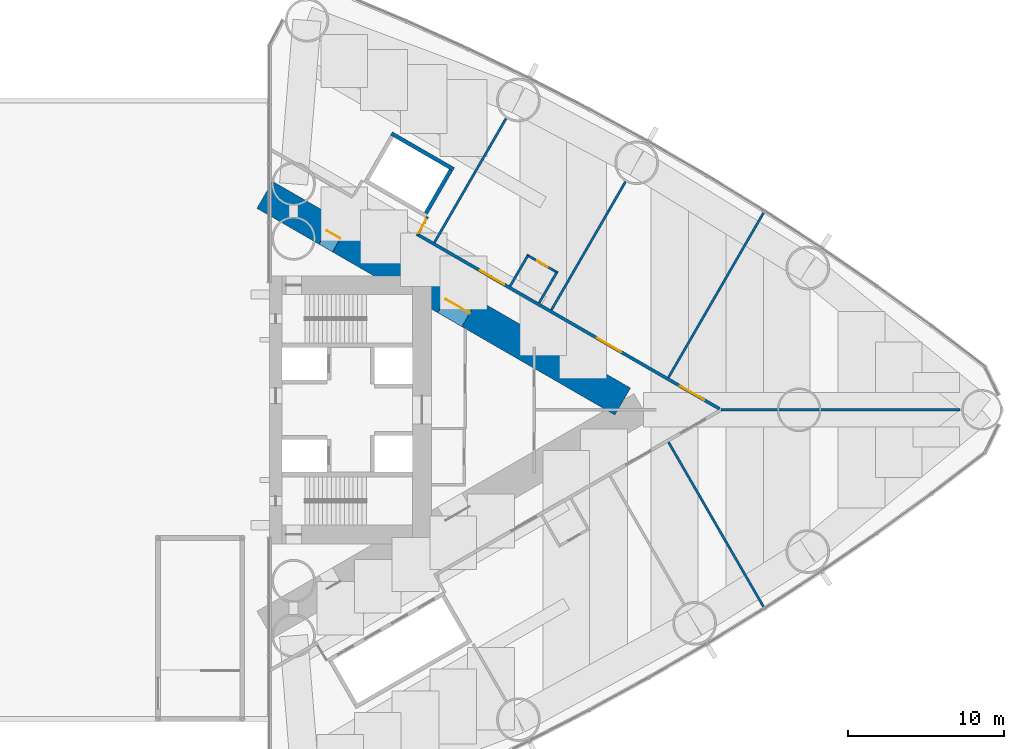
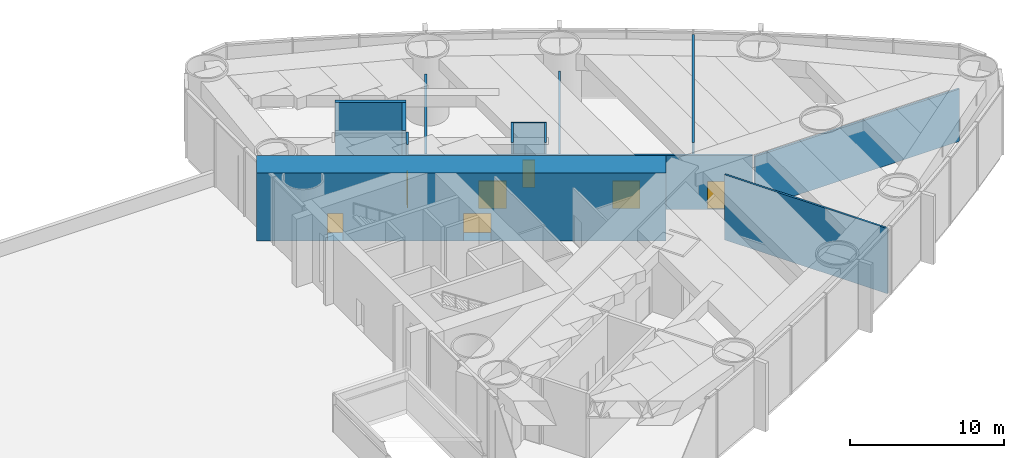
# One storey, part 21 of 23: 13 walls, 7 doors, 7 openings.
"""IFC4 building model written with IfcOpenShell, lengths in metres."""

from ifc_helpers import new_model, si_unit, direction, frame, frame_2d, origin, place, context, subcontext, project, spatial, rectangle, extrude, material, layer, layer_set, type_object, element, fill, save


model = new_model("IFC4")

# Units and contexts
model_context = context("Model", 3, precision=1e-05, world=origin(), true_north=direction((0.0, 1.0)))
body_context = subcontext(model_context, "Body", "Model", "MODEL_VIEW")
ifc_project = project(units=[si_unit("LENGTHUNIT", "METRE"), si_unit("AREAUNIT", "SQUARE_METRE"), si_unit("VOLUMEUNIT", "CUBIC_METRE"), si_unit("PLANEANGLEUNIT", "RADIAN"), si_unit("MASSUNIT", "GRAM", prefix="KILO")], contexts=[model_context])

# Site, building, storey
site_placement = place(None, origin())
site = spatial("IfcSite", under=ifc_project, at=site_placement, CompositionType="ELEMENT")
building_placement = place(site_placement, origin())
building = spatial("IfcBuilding", under=site, at=building_placement, Name="Lancet Gate Hotel", CompositionType="ELEMENT")
storey_placement = place(building_placement, frame((0.0, 0.0, 12.60009765625)))
storey = spatial("IfcBuildingStorey", under=building, at=storey_placement, Name="L02", CompositionType="ELEMENT", Elevation=12.60009765625)

# Walls
ifc_material_1 = material(Name="Moisture resistant board partition")
ifc_layer_1 = layer(ifc_material_1, 0.14990234375)
ifc_layer_set_1 = layer_set([ifc_layer_1], Name="Bathroom wall 150")
wall_type_1 = type_object("IfcWallType", Name="Bathroom wall 150", PredefinedType="PARTITIONING", material=ifc_layer_set_1)
for number, where, z_axis, x_axis, name in (
    (1, (42.953369140625, 7.93798828125, 0.0), (0.0, 0.0, 1.0), (0.499982560684, 0.866035472144, 0.0), "T2 bathroom wall 150 L02"),
    (2, (44.815185546875, 6.863037109375, 0.0), (0.0, 0.0, 1.0), (0.499982560684, 0.866035472144, 0.0), "T2 bathroom wall 150 L02"),
):
    element("IfcWall", number, at=place(storey_placement, frame(where, z_axis=z_axis, x_axis=x_axis)), inside=storey, type_object=wall_type_1, Name=name, PredefinedType="PARTITIONING", context=body_context, shape_type="SweptSolid", body=[
        extrude(rectangle(XDim=2.27490234375, YDim=0.14990234375, at=frame_2d((1.137451171875, 0.0))), origin(), (0.0, 0.0, 1.0), 5.14990234375),
    ])

# Wall, opening, door
wall_1_placement = place(storey_placement, frame((44.02587890625, 9.94580078125, 0.0), z_axis=(0.0, 0.0, 1.0), x_axis=(0.865980515519, -0.500077740698, 0.0)))
wall_1 = element("IfcWall", 3, at=wall_1_placement, inside=storey, type_object=wall_type_1, Name="T2 bathroom wall 150 L02", PredefinedType="PARTITIONING", context=body_context, shape_type="SweptSolid", body=[
    extrude(rectangle(XDim=2.300048828125, YDim=0.14990234375, at=frame_2d((1.14990234375, 0.0))), origin(), (0.0, 0.0, 1.0), 5.14990234375),
])
opening_1_placement = place(wall_1_placement, frame((0.75, 0.0, 0.0)))
opening_1 = element("IfcOpeningElement", 4, at=opening_1_placement, cuts=wall_1, Name="Opening T2-L02-P207W", PredefinedType="OPENING", context=body_context, shape_type="SweptSolid", body=[
    extrude(rectangle(XDim=0.800048828125, YDim=2.199951171875, at=frame_2d((0.39990234375, 1.10009765625))), frame((0.0, 0.0849609375, 0.0), z_axis=(0.0, -1.0, 0.0), x_axis=(1.0, 0.0, 0.0)), (0.0, 0.0, 1.0), 0.169921875),
])
ifc_material_2 = material(Name="Timber door set", Category="wood")
door_type_1 = type_object("IfcDoorType", Name="Bathroom door 800", OperationType="SINGLE_SWING_RIGHT", PredefinedType="DOOR", material=ifc_material_2)
door_1_placement = place(opening_1_placement, origin())
door_1 = element("IfcDoor", 5, at=door_1_placement, inside=storey, type_object=door_type_1, Name="T2-L02-P207W", OperationType="SINGLE_SWING_RIGHT", OverallHeight=2.199951171875, OverallWidth=0.800048828125, PredefinedType="DOOR", context=body_context, shape_type="SweptSolid", body=[
    extrude(rectangle(XDim=0.800048828125, YDim=2.199951171875, at=frame_2d((0.39990234375, 1.10009765625))), frame((0.0, 0.02490234375, 0.0), z_axis=(0.0, -1.0, 0.0), x_axis=(1.0, 0.0, 0.0)), (0.0, 0.0, 1.0), 0.050048828125),
])
fill(opening_1, door_1)

# Wall, openings, doors
ifc_material_3 = material(Name="Concrete C70/85", Category="concrete")
ifc_layer_2 = layer(ifc_material_3, 2.0)
ifc_layer_set_2 = layer_set([ifc_layer_2], Name="Buttress wall 2000")
wall_type_2 = type_object("IfcWallType", Name="Buttress wall 2000", PredefinedType="SHEAR", material=ifc_layer_set_2)
wall_2_placement = place(storey_placement, frame((27.199951171875, 13.800048828125, 0.0), z_axis=(0.0, 0.0, 1.0), x_axis=(0.866024545924, -0.500001485854, 0.0)))
wall_2 = element("IfcWall", 6, at=wall_2_placement, inside=storey, type_object=wall_type_2, Name="T2 buttress wall N L02", PredefinedType="SHEAR", context=body_context, shape_type="SweptSolid", body=[
    extrude(rectangle(XDim=26.53369140625, YDim=2.0, at=frame_2d((13.266845703125, 0.0))), origin(), (0.0, 0.0, 1.0), 5.39990234375),
])
opening_2_placement = place(wall_2_placement, frame((4.60009765625, 0.0, 0.0)))
opening_2 = element("IfcOpeningElement", 7, at=opening_2_placement, cuts=wall_2, Name="Opening T2-L02-LN", PredefinedType="OPENING", context=body_context, shape_type="SweptSolid", body=[
    extrude(rectangle(XDim=1.0, YDim=2.199951171875, at=frame_2d((0.5, 1.10009765625))), frame((0.0, 1.010009765625, 0.0), z_axis=(0.0, -1.0, 0.0), x_axis=(1.0, 0.0, 0.0)), (0.0, 0.0, 1.0), 2.02001953125),
])
opening_3_placement = place(wall_2_placement, frame((13.39453125, 0.0, 0.0)))
opening_3 = element("IfcOpeningElement", 8, at=opening_3_placement, cuts=wall_2, Name="Opening T2-L02-LHN", PredefinedType="OPENING", context=body_context, shape_type="SweptSolid", body=[
    extrude(rectangle(XDim=1.800048828125, YDim=2.199951171875, at=frame_2d((0.89990234375, 1.10009765625))), frame((0.0, 1.010009765625, 0.0), z_axis=(0.0, -1.0, 0.0), x_axis=(1.0, 0.0, 0.0)), (0.0, 0.0, 1.0), 2.02001953125),
])
ifc_material_4 = material(Name="Timber door set", Category="wood")
door_type_2 = type_object("IfcDoorType", Name="Lobby double door 1800", OperationType="DOUBLE_DOOR_SINGLE_SWING", PredefinedType="DOOR", material=ifc_material_4)
door_2_placement = place(opening_3_placement, origin())
door_2 = element("IfcDoor", 9, at=door_2_placement, inside=storey, type_object=door_type_2, Name="T2-L02-LHN", OperationType="DOUBLE_DOOR_SINGLE_SWING", OverallHeight=2.199951171875, OverallWidth=1.800048828125, PredefinedType="DOOR", context=body_context, shape_type="SweptSolid", body=[
    extrude(rectangle(XDim=1.800048828125, YDim=2.199951171875, at=frame_2d((0.89990234375, 1.10009765625))), frame((0.0, 0.02490234375, 0.0), z_axis=(0.0, -1.0, 0.0), x_axis=(1.0, 0.0, 0.0)), (0.0, 0.0, 1.0), 0.050048828125),
])
fill(opening_3, door_2)
ifc_material_5 = material(Name="Timber door set", Category="wood")
door_type_3 = type_object("IfcDoorType", Name="Stair lobby door 1000", OperationType="SINGLE_SWING_LEFT", PredefinedType="DOOR", material=ifc_material_5)
door_3_placement = place(opening_2_placement, origin())
door_3 = element("IfcDoor", 10, at=door_3_placement, inside=storey, type_object=door_type_3, Name="T2-L02-LN", OperationType="SINGLE_SWING_LEFT", OverallHeight=2.199951171875, OverallWidth=1.0, PredefinedType="DOOR", context=body_context, shape_type="SweptSolid", body=[
    extrude(rectangle(XDim=1.0, YDim=2.199951171875, at=frame_2d((0.5, 1.10009765625))), frame((0.0, 0.02490234375, 0.0), z_axis=(0.0, -1.0, 0.0), x_axis=(1.0, 0.0, 0.0)), (0.0, 0.0, 1.0), 0.050048828125),
])
fill(opening_2, door_3)

ifc_material_6 = material(Name="Gypsum board partition")
ifc_layer_3 = layer(ifc_material_6, 0.199951171875)
ifc_layer_set_3 = layer_set([ifc_layer_3], Name="Corridor wall 200")
wall_type_3 = type_object("IfcWallType", Name="Corridor wall 200", PredefinedType="PARTITIONING", material=ifc_layer_set_3)
wall_3_placement = place(storey_placement, frame((37.033935546875, 11.239990234375, 0.0), z_axis=(0.0, 0.0, 1.0), x_axis=(0.866025942536, -0.499999066854, 0.0)))
wall_3 = element("IfcWall", 11, at=wall_3_placement, inside=storey, type_object=wall_type_3, Name="T2 corridor wall 200 L02", PredefinedType="PARTITIONING", context=body_context, shape_type="SweptSolid", body=[
    extrude(rectangle(XDim=22.35986328125, YDim=0.199951171875, at=frame_2d((11.179931640625, 0.0))), origin(), (0.0, 0.0, 1.0), 4.25),
])
opening_4_placement = place(wall_3_placement, frame((19.4228515625, 0.0, 0.0)))
opening_4 = element("IfcOpeningElement", 12, at=opening_4_placement, cuts=wall_3, Name="Opening T2-L02-P205", PredefinedType="OPENING", context=body_context, shape_type="SweptSolid", body=[
    extrude(rectangle(XDim=1.800048828125, YDim=2.199951171875, at=frame_2d((0.89990234375, 1.10009765625))), frame((0.0, 0.10986328125, 0.0), z_axis=(0.0, -1.0, 0.0), x_axis=(1.0, 0.0, 0.0)), (0.0, 0.0, 1.0), 0.219970703125),
])
opening_5_placement = place(wall_3_placement, frame((13.273681640625, 0.0, 0.0)))
opening_5 = element("IfcOpeningElement", 13, at=opening_5_placement, cuts=wall_3, Name="Opening T2-L02-P206", PredefinedType="OPENING", context=body_context, shape_type="SweptSolid", body=[
    extrude(rectangle(XDim=1.800048828125, YDim=2.199951171875, at=frame_2d((0.89990234375, 1.10009765625))), frame((0.0, 0.10986328125, 0.0), z_axis=(0.0, -1.0, 0.0), x_axis=(1.0, 0.0, 0.0)), (0.0, 0.0, 1.0), 0.219970703125),
])
opening_6_placement = place(wall_3_placement, frame((4.60205078125, 0.0, 0.0)))
opening_6 = element("IfcOpeningElement", 14, at=opening_6_placement, cuts=wall_3, Name="Opening T2-L02-P207", PredefinedType="OPENING", context=body_context, shape_type="SweptSolid", body=[
    extrude(rectangle(XDim=1.800048828125, YDim=2.199951171875, at=frame_2d((0.89990234375, 1.10009765625))), frame((0.0, 0.10986328125, 0.0), z_axis=(0.0, -1.0, 0.0), x_axis=(1.0, 0.0, 0.0)), (0.0, 0.0, 1.0), 0.219970703125),
])
ifc_material_7 = material(Name="Timber door set", Category="wood")
door_type_4 = type_object("IfcDoorType", Name="Double door 1800", OperationType="DOUBLE_DOOR_SINGLE_SWING", PredefinedType="DOOR", material=ifc_material_7)
door_4_placement = place(opening_4_placement, origin())
door_4 = element("IfcDoor", 15, at=door_4_placement, inside=storey, type_object=door_type_4, Name="T2-L02-P205", OperationType="DOUBLE_DOOR_SINGLE_SWING", OverallHeight=2.199951171875, OverallWidth=1.800048828125, PredefinedType="DOOR", context=body_context, shape_type="SweptSolid", body=[
    extrude(rectangle(XDim=1.800048828125, YDim=2.199951171875, at=frame_2d((0.89990234375, 1.10009765625))), frame((0.0, 0.02490234375, 0.0), z_axis=(0.0, -1.0, 0.0), x_axis=(1.0, 0.0, 0.0)), (0.0, 0.0, 1.0), 0.050048828125),
])
fill(opening_4, door_4)
door_5_placement = place(opening_5_placement, origin())
door_5 = element("IfcDoor", 16, at=door_5_placement, inside=storey, type_object=door_type_4, Name="T2-L02-P206", OperationType="DOUBLE_DOOR_SINGLE_SWING", OverallHeight=2.199951171875, OverallWidth=1.800048828125, PredefinedType="DOOR", context=body_context, shape_type="SweptSolid", body=[
    extrude(rectangle(XDim=1.800048828125, YDim=2.199951171875, at=frame_2d((0.89990234375, 1.10009765625))), frame((0.0, 0.02490234375, 0.0), z_axis=(0.0, -1.0, 0.0), x_axis=(1.0, 0.0, 0.0)), (0.0, 0.0, 1.0), 0.050048828125),
])
fill(opening_5, door_5)
door_6_placement = place(opening_6_placement, origin())
door_6 = element("IfcDoor", 17, at=door_6_placement, inside=storey, type_object=door_type_4, Name="T2-L02-P207", OperationType="DOUBLE_DOOR_SINGLE_SWING", OverallHeight=2.199951171875, OverallWidth=1.800048828125, PredefinedType="DOOR", context=body_context, shape_type="SweptSolid", body=[
    extrude(rectangle(XDim=1.800048828125, YDim=2.199951171875, at=frame_2d((0.89990234375, 1.10009765625))), frame((0.0, 0.02490234375, 0.0), z_axis=(0.0, -1.0, 0.0), x_axis=(1.0, 0.0, 0.0)), (0.0, 0.0, 1.0), 0.050048828125),
])
fill(opening_6, door_6)

# Walls
ifc_material_8 = material(Name="Gypsum board partition")
ifc_layer_4 = layer(ifc_material_8, 0.25)
ifc_layer_set_4 = layer_set([ifc_layer_4], Name="Lift shaft partition 250")
wall_type_4 = type_object("IfcWallType", Name="Lift shaft partition 250", PredefinedType="PARTITIONING", material=ifc_layer_set_4)
wall_4_placement = place(storey_placement, frame((35.33349609375, 17.73583984375, 0.0), z_axis=(0.0, 0.0, 1.0), x_axis=(0.866043305498, -0.49996899204, 0.0)))
element("IfcWall", 18, at=wall_4_placement, inside=storey, type_object=wall_type_4, Name="T2 lift shaft wall EX L02", PredefinedType="PARTITIONING", context=body_context, shape_type="SweptSolid", body=[
    extrude(rectangle(XDim=4.600341796875, YDim=0.25, at=frame_2d((2.30029296875, 0.0))), origin(), (0.0, 0.0, 1.0), 5.14990234375),
])
wall_5_placement = place(storey_placement, frame((37.546630859375, 12.617919921875, 0.0), z_axis=(0.0, 0.0, 1.0), x_axis=(0.499929347863, 0.866066190972, 0.0)))
element("IfcWall", 19, at=wall_5_placement, inside=storey, type_object=wall_type_4, Name="T2 lift shaft wall EX L02", PredefinedType="PARTITIONING", context=body_context, shape_type="SweptSolid", body=[
    extrude(rectangle(XDim=3.20068359375, YDim=0.25, at=frame_2d((1.600341796875, 0.0))), origin(), (0.0, 0.0, 1.0), 5.14990234375),
])
ifc_material_9 = material(Name="Gypsum board partition")
ifc_layer_5 = layer(ifc_material_9, 0.14990234375)
ifc_layer_set_5 = layer_set([ifc_layer_5], Name="Party wall 150")
wall_type_5 = type_object("IfcWallType", Name="Party wall 150", PredefinedType="PARTITIONING", material=ifc_layer_set_5)
wall_6_placement = place(storey_placement, frame((53.11474609375, -2.0712890625, 0.0), z_axis=(0.0, 0.0, 1.0), x_axis=(0.500000975677, -0.866024840476, 0.0)))
element("IfcWall", 20, at=wall_6_placement, inside=storey, type_object=wall_type_5, Name="T2 party wall 150 L02", PredefinedType="PARTITIONING", context=body_context, shape_type="SweptSolid", body=[
    extrude(rectangle(XDim=12.19091796875, YDim=0.14990234375, at=frame_2d((6.095458984375, 0.0))), origin(), (0.0, 0.0, 1.0), 5.14990234375),
])
wall_7_placement = place(storey_placement, frame((38.09521484375, 10.74267578125, 0.0), z_axis=(0.0, 0.0, 1.0), x_axis=(0.499989105942, 0.866031693381, 0.0)))
element("IfcWall", 21, at=wall_7_placement, inside=storey, type_object=wall_type_5, Name="T2 party wall 150 L02", PredefinedType="PARTITIONING", context=body_context, shape_type="SweptSolid", body=[
    extrude(rectangle(XDim=9.193603515625, YDim=0.14990234375, at=frame_2d((4.5966796875, 0.0))), origin(), (0.0, 0.0, 1.0), 4.14990234375),
])
wall_8_placement = place(storey_placement, frame((45.60302734375, 6.408203125, 0.0), z_axis=(0.0, 0.0, 1.0), x_axis=(0.499999740363, 0.866025553686, 0.0)))
element("IfcWall", 22, at=wall_8_placement, inside=storey, type_object=wall_type_5, Name="T2 party wall 150 L02", PredefinedType="PARTITIONING", context=body_context, shape_type="SweptSolid", body=[
    extrude(rectangle(XDim=9.50146484375, YDim=0.14990234375, at=frame_2d((4.750732421875, 0.0))), origin(), (0.0, 0.0, 1.0), 4.14990234375),
])
wall_9_placement = place(storey_placement, frame((53.11474609375, 2.0712890625, 0.0), z_axis=(0.0, 0.0, 1.0), x_axis=(0.500000975677, 0.866024840476, 0.0)))
element("IfcWall", 23, at=wall_9_placement, inside=storey, type_object=wall_type_5, Name="T2 party wall 150 L02", PredefinedType="PARTITIONING", context=body_context, shape_type="SweptSolid", body=[
    extrude(rectangle(XDim=12.19091796875, YDim=0.14990234375, at=frame_2d((6.095458984375, 0.0))), origin(), (0.0, 0.0, 1.0), 5.14990234375),
])
wall_10_placement = place(storey_placement, frame((56.502197265625, 0.0, 0.0), z_axis=(0.0, 0.0, 1.0), x_axis=(1.0, 0.0, 0.0)))
element("IfcWall", 24, at=wall_10_placement, inside=storey, type_object=wall_type_5, Name="T2 party wall 150 L02", PredefinedType="PARTITIONING", context=body_context, shape_type="SweptSolid", body=[
    extrude(rectangle(XDim=15.31689453125, YDim=0.14990234375, at=frame_2d((7.658447265625, 0.0))), origin(), (0.0, 0.0, 1.0), 4.14990234375),
])

# Wall, opening, door
ifc_material_10 = material(Name="Gypsum board partition")
ifc_layer_6 = layer(ifc_material_10, 0.14990234375)
ifc_layer_set_6 = layer_set([ifc_layer_6], Name="Service room wall 150")
wall_type_6 = type_object("IfcWallType", Name="Service room wall 150", PredefinedType="PARTITIONING", material=ifc_layer_set_6)
wall_11_placement = place(storey_placement, frame((36.970947265625, 11.160888671875, 0.0), z_axis=(0.0, 0.0, 1.0), x_axis=(0.481491794093, 0.876450598848, 0.0)))
wall_11 = element("IfcWall", 25, at=wall_11_placement, inside=storey, type_object=wall_type_6, Name="T2 service room wall 150 L02", PredefinedType="PARTITIONING", context=body_context, shape_type="SweptSolid", body=[
    extrude(rectangle(XDim=1.405029296875, YDim=0.14990234375, at=frame_2d((0.70263671875, 0.0))), origin(), (0.0, 0.0, 1.0), 5.14990234375),
])
opening_7_placement = place(wall_11_placement, frame((0.20263671875, 0.0, 0.0)))
opening_7 = element("IfcOpeningElement", 26, at=opening_7_placement, cuts=wall_11, Name="Opening T2-L02-P208", PredefinedType="OPENING", context=body_context, shape_type="SweptSolid", body=[
    extrude(rectangle(XDim=1.0, YDim=2.199951171875, at=frame_2d((0.5, 1.10009765625))), frame((0.0, 0.0849609375, 0.0), z_axis=(0.0, -1.0, 0.0), x_axis=(1.0, 0.0, 0.0)), (0.0, 0.0, 1.0), 0.169921875),
])
ifc_material_11 = material(Name="Timber door set", Category="wood")
door_type_5 = type_object("IfcDoorType", Name="Service door 1000", OperationType="SINGLE_SWING_LEFT", PredefinedType="DOOR", material=ifc_material_11)
door_7_placement = place(opening_7_placement, origin())
door_7 = element("IfcDoor", 27, at=door_7_placement, inside=storey, type_object=door_type_5, Name="T2-L02-P208", OperationType="SINGLE_SWING_LEFT", OverallHeight=2.199951171875, OverallWidth=1.0, PredefinedType="DOOR", context=body_context, shape_type="SweptSolid", body=[
    extrude(rectangle(XDim=1.0, YDim=2.199951171875, at=frame_2d((0.5, 1.10009765625))), frame((0.0, 0.02490234375, 0.0), z_axis=(0.0, -1.0, 0.0), x_axis=(1.0, 0.0, 0.0)), (0.0, 0.0, 1.0), 0.050048828125),
])
fill(opening_7, door_7)

save(model, "model.ifc")
